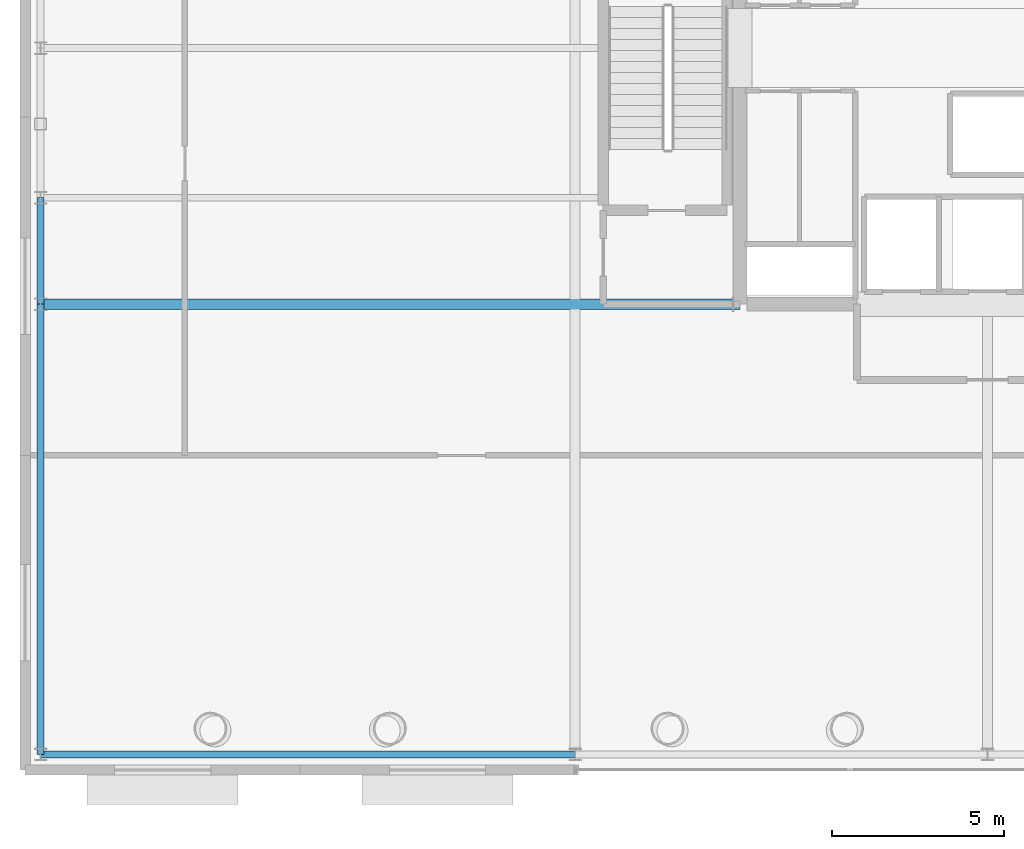
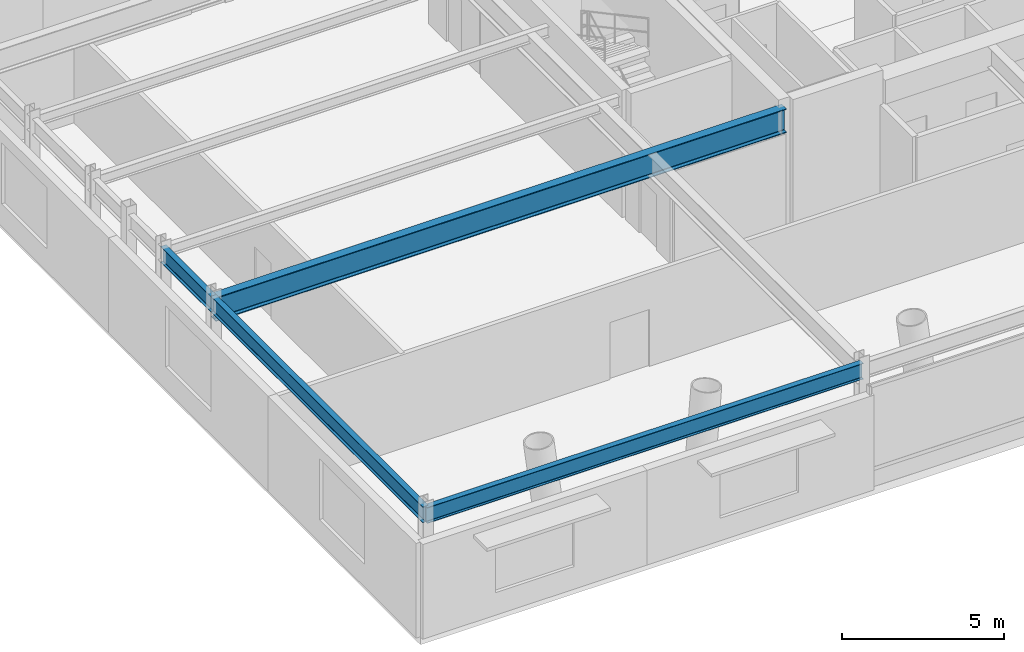
# One storey, part 5 of 22: 4 beams.
"""IFC4 building model written with IfcOpenShell, lengths in metres."""

from ifc_helpers import new_model, si_unit, direction, frame, origin, origin_2d, place, context, subcontext, project, spatial, i_section, extrude, material, material_profile, profile_set, type_object, element, save


model = new_model("IFC4")

# Units and contexts
model_context = context("Model", 3, precision=1e-05, world=origin(), true_north=direction((0.0, 1.0)))
body_context = subcontext(model_context, "Body", "Model", "MODEL_VIEW")
ifc_project = project(units=[si_unit("LENGTHUNIT", "METRE"), si_unit("AREAUNIT", "SQUARE_METRE"), si_unit("VOLUMEUNIT", "CUBIC_METRE"), si_unit("PLANEANGLEUNIT", "RADIAN"), si_unit("MASSUNIT", "GRAM", prefix="KILO")], contexts=[model_context])

# Site, building, storey
site_placement = place(None, origin())
site = spatial("IfcSite", under=ifc_project, at=site_placement, CompositionType="ELEMENT")
building_placement = place(site_placement, origin())
building = spatial("IfcBuilding", under=site, at=building_placement, Name="Veldorina Hangang Commons", CompositionType="ELEMENT")
storey_placement = place(building_placement, frame((0.0, 0.0, 14.800048828125)))
storey = spatial("IfcBuildingStorey", under=building, at=storey_placement, Name="L03", CompositionType="ELEMENT", Elevation=14.800048828125)

# Beams
ifc_material_1 = material(Name="Steel SM460-TMC", Category="steel")
ifc_material_profile_1 = material_profile(ifc_material_1, i_section(OverallWidth=0.300048828125, OverallDepth=0.89990234375, WebThickness=0.01611328125, FlangeThickness=0.028076171875, FilletRadius=0.02197265625, at=origin_2d()), Name="H-900x300x16x28")
ifc_profile_set_1 = profile_set([ifc_material_profile_1], Name="Steel SM460-TMC")
beam_type_1 = type_object("IfcBeamType", Name="BM-PG900", PredefinedType="BEAM", material=ifc_profile_set_1)
beam_1_placement = place(storey_placement, frame((4.449951171875, 16.550048828125, 4.050048828125), z_axis=(1.0, 0.0, 0.0), x_axis=(0.0, 1.0, 0.0)))
element("IfcBeam", 1, at=beam_1_placement, inside=storey, type_object=beam_type_1, Name="L03 west collector girder GD", PredefinedType="BEAM", context=body_context, shape_type="SweptSolid", body=[
    extrude(i_section(OverallWidth=0.300048828125, OverallDepth=0.89990234375, WebThickness=0.01611328125, FlangeThickness=0.028076171875, FilletRadius=0.02197265625, at=origin_2d()), origin(), (0.0, 0.0, 1.0), 20.35009765625),
])
ifc_material_2 = material(Name="Steel SM420-TMC", Category="steel")
ifc_material_profile_2 = material_profile(ifc_material_2, i_section(OverallWidth=0.199951171875, OverallDepth=0.60009765625, WebThickness=0.010986328125, FlangeThickness=0.01708984375, FilletRadius=0.01806640625, at=origin_2d()), Name="H-600x200x11x17")
ifc_profile_set_2 = profile_set([ifc_material_profile_2], Name="Steel SM420-TMC")
beam_type_2 = type_object("IfcBeamType", Name="BM-SPN600", PredefinedType="SPANDREL", material=ifc_profile_set_2)
beam_2_placement = place(storey_placement, frame((4.449951171875, 3.449951171875, 4.199951171875), z_axis=(1.0, 0.0, 0.0), x_axis=(0.0, 1.0, 0.0)))
element("IfcBeam", 2, at=beam_2_placement, inside=storey, type_object=beam_type_2, Name="L03 south spandrel beam 1", PredefinedType="SPANDREL", context=body_context, shape_type="SweptSolid", body=[
    extrude(i_section(OverallWidth=0.199951171875, OverallDepth=0.60009765625, WebThickness=0.010986328125, FlangeThickness=0.01708984375, FilletRadius=0.01806640625, at=origin_2d()), origin(), (0.0, 0.0, 1.0), 15.550048828125),
])
beam_3_placement = place(storey_placement, frame((4.449951171875, 3.449951171875, 4.199951171875), z_axis=(0.0, 1.0, 0.0), x_axis=(-1.0, 0.0, 0.0)))
element("IfcBeam", 3, at=beam_3_placement, inside=storey, type_object=beam_type_2, Name="L03 west spandrel beam 1", PredefinedType="SPANDREL", context=body_context, shape_type="SweptSolid", body=[
    extrude(i_section(OverallWidth=0.199951171875, OverallDepth=0.60009765625, WebThickness=0.010986328125, FlangeThickness=0.01708984375, FilletRadius=0.01806640625, at=origin_2d()), origin(), (0.0, 0.0, 1.0), 13.10009765625),
])
beam_4_placement = place(storey_placement, frame((4.449951171875, 16.550048828125, 4.199951171875), z_axis=(0.0, 1.0, 0.0), x_axis=(-1.0, 0.0, 0.0)))
element("IfcBeam", 4, at=beam_4_placement, inside=storey, type_object=beam_type_2, Name="L03 west spandrel beam 2", PredefinedType="SPANDREL", context=body_context, shape_type="SweptSolid", body=[
    extrude(i_section(OverallWidth=0.199951171875, OverallDepth=0.60009765625, WebThickness=0.010986328125, FlangeThickness=0.01708984375, FilletRadius=0.01806640625, at=origin_2d()), origin(), (0.0, 0.0, 1.0), 3.099853515625),
])

save(model, "model.ifc")
